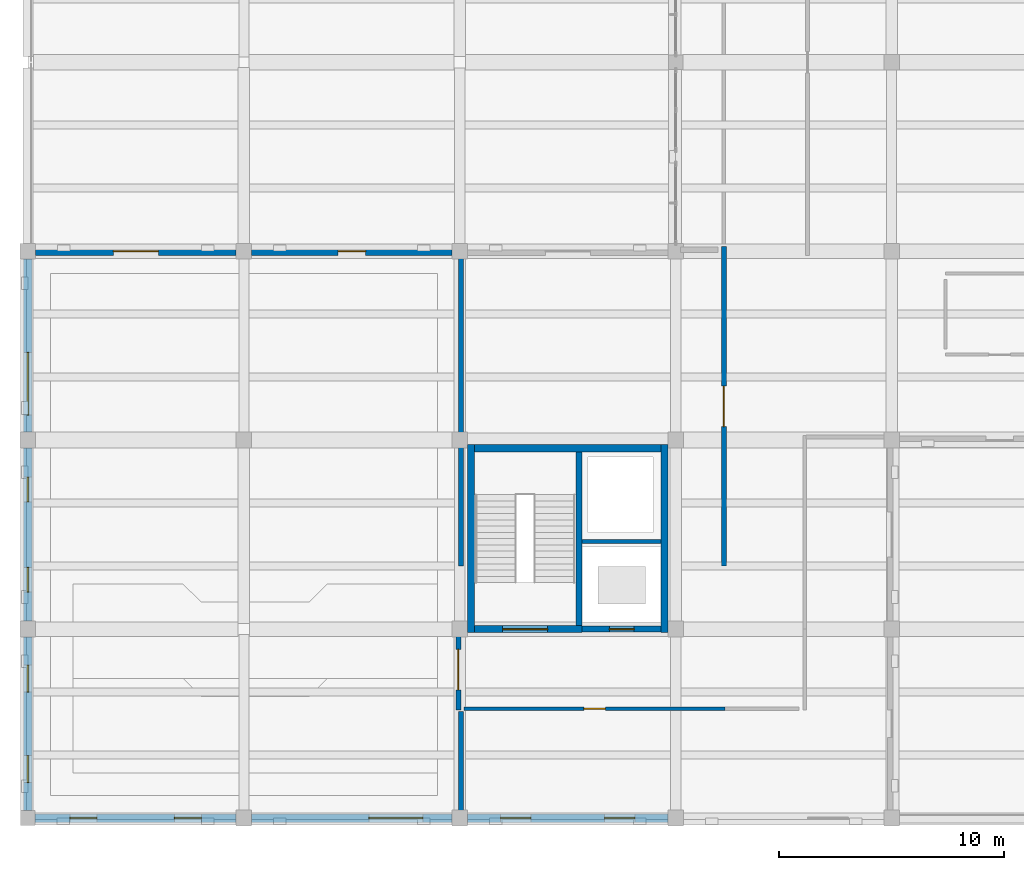
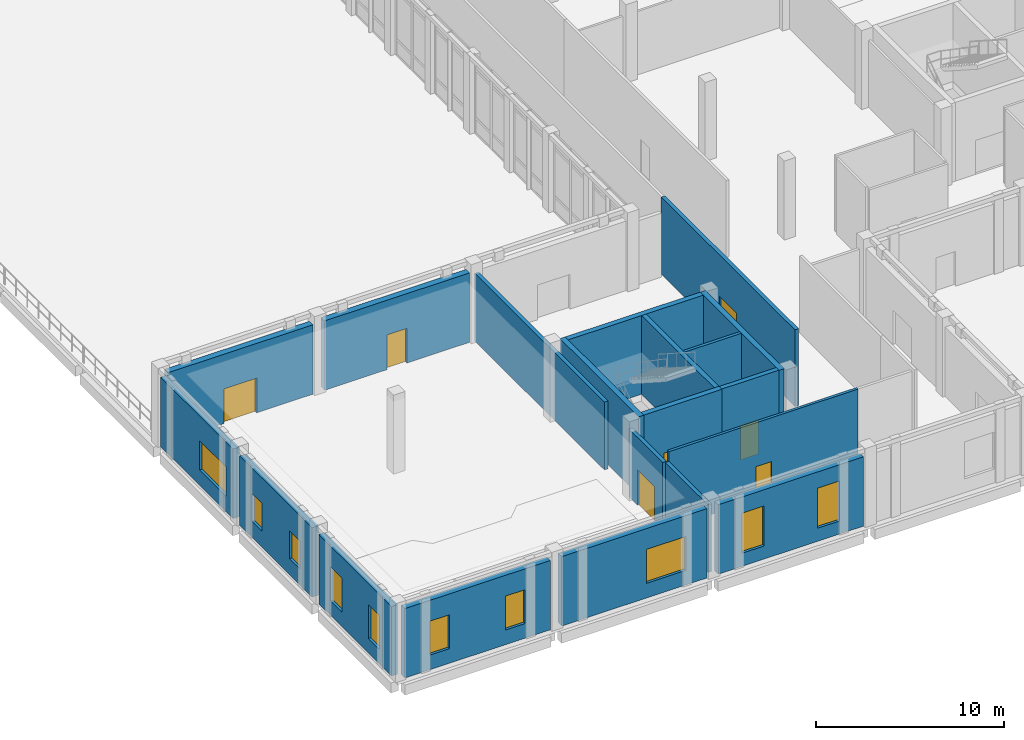
# One storey, part 49 of 71: 20 walls, 10 windows, 7 doors, 17 openings.
"""IFC4 building model written with IfcOpenShell, lengths in metres."""

from ifc_helpers import new_model, si_unit, direction, frame, frame_2d, origin, place, context, subcontext, project, spatial, rectangle, extrude, material, layer, layer_set, type_object, element, fill, save


model = new_model("IFC4")

# Units and contexts
model_context = context("Model", 3, precision=1e-05, world=origin(), true_north=direction((0.0, 1.0)))
body_context = subcontext(model_context, "Body", "Model", "MODEL_VIEW")
ifc_project = project(units=[si_unit("LENGTHUNIT", "METRE"), si_unit("AREAUNIT", "SQUARE_METRE"), si_unit("VOLUMEUNIT", "CUBIC_METRE"), si_unit("PLANEANGLEUNIT", "RADIAN"), si_unit("MASSUNIT", "GRAM", prefix="KILO")], contexts=[model_context])

# Site, building, storey
site_placement = place(None, origin())
site = spatial("IfcSite", under=ifc_project, at=site_placement, CompositionType="ELEMENT")
building_placement = place(site_placement, origin())
building = spatial("IfcBuilding", under=site, at=building_placement, Name="Lornevale Opera House", CompositionType="ELEMENT")
storey_placement = place(building_placement, origin())
storey = spatial("IfcBuildingStorey", under=building, at=storey_placement, Name="L01", CompositionType="ELEMENT", Elevation=0.0)

# Wall, opening, door
ifc_material_1 = material(Name="Concrete 40 MPa (CSA A23.1 C-1)", Category="concrete")
ifc_layer_1 = layer(ifc_material_1, 0.320068359375)
ifc_layer_set_1 = layer_set([ifc_layer_1], Name="Concrete 40 MPa (CSA A23.1 C-1)")
wall_type_1 = type_object("IfcWallType", Name="Core Shear Wall 320", PredefinedType="SHEAR", material=ifc_layer_set_1)
wall_1_placement = place(storey_placement, frame((19.860107421875, 8.39990234375, 0.0), z_axis=(0.0, 0.0, 1.0), x_axis=(1.0, 0.0, 0.0)))
wall_1 = element("IfcWall", 1, at=wall_1_placement, inside=storey, type_object=wall_type_1, Name="Chamber Pavilion Core Core Shear Wall 320 WL-COR-0092", PredefinedType="SHEAR", context=body_context, shape_type="SweptSolid", body=[
    extrude(rectangle(XDim=4.77978515625, YDim=0.320068359375, at=frame_2d((2.389892578125, 0.0))), origin(), (0.0, 0.0, 1.0), 5.10009765625),
])
opening_1_placement = place(wall_1_placement, frame((1.239990234375, 0.0, 0.0)))
opening_1 = element("IfcOpeningElement", 2, at=opening_1_placement, cuts=wall_1, Name="Opening DR-T12", PredefinedType="OPENING", context=body_context, shape_type="SweptSolid", body=[
    extrude(rectangle(XDim=2.0, YDim=2.199951171875, at=frame_2d((1.0, 1.10009765625))), frame((0.0, 0.169921875, 0.0), z_axis=(0.0, -1.0, 0.0), x_axis=(1.0, 0.0, 0.0)), (0.0, 0.0, 1.0), 0.340087890625),
])
ifc_material_2 = material(Name="Painted Hollow Metal Door Steel", Category="steel")
ifc_layer_2 = layer(ifc_material_2, 2.199951171875)
ifc_layer_set_2 = layer_set([ifc_layer_2], Name="Painted Hollow Metal Door Steel")
door_type_1 = type_object("IfcDoorType", Name="Exit Stair Discharge Pair 2000x2200", OperationType="NOTDEFINED", PredefinedType="DOOR", material=ifc_layer_set_2)
door_1_placement = place(opening_1_placement, origin())
door_1 = element("IfcDoor", 3, at=door_1_placement, inside=storey, type_object=door_type_1, Name="C3 Stair Door L01", OperationType="DOUBLE_SWING_LEFT", OverallHeight=2.199951171875, OverallWidth=2.0, PredefinedType="DOOR", context=body_context, shape_type="SweptSolid", body=[
    extrude(rectangle(XDim=2.0, YDim=2.199951171875, at=frame_2d((1.0, 1.10009765625))), frame((0.0, 0.02490234375, 0.0), z_axis=(0.0, -1.0, 0.0), x_axis=(1.0, 0.0, 0.0)), (0.0, 0.0, 1.0), 0.050048828125),
])
fill(opening_1, door_1)

# Walls
wall_2_placement = place(storey_placement, frame((28.139892578125, 16.43994140625, 0.0), z_axis=(0.0, 0.0, 1.0), x_axis=(-1.0, 0.0, 0.0)))
element("IfcWall", 4, at=wall_2_placement, inside=storey, type_object=wall_type_1, Name="Chamber Pavilion Core Core Shear Wall 320 WL-COR-0094", PredefinedType="SHEAR", context=body_context, shape_type="SweptSolid", body=[
    extrude(rectangle(XDim=8.27978515625, YDim=0.320068359375, at=frame_2d((4.139892578125, 0.0))), origin(), (0.0, 0.0, 1.0), 5.10009765625),
])
for number, where, z_axis, x_axis, name in (
    (5, (19.699951171875, 16.60009765625, 0.0), (0.0, 0.0, 1.0), (0.0, -1.0, 0.0), "Chamber Pavilion Core Core Shear Wall 320 WL-COR-0095"),
    (6, (28.300048828125, 8.239990234375, 0.0), (0.0, 0.0, 1.0), (0.0, 1.0, 0.0), "Chamber Pavilion Core Core Shear Wall 320 WL-COR-0096"),
):
    element("IfcWall", number, at=place(storey_placement, frame(where, z_axis=z_axis, x_axis=x_axis)), inside=storey, type_object=wall_type_1, Name=name, PredefinedType="SHEAR", context=body_context, shape_type="SweptSolid", body=[
        extrude(rectangle(XDim=8.360107421875, YDim=0.320068359375, at=frame_2d((4.18017578125, 0.0))), origin(), (0.0, 0.0, 1.0), 5.10009765625),
    ])

# Wall, opening, door
ifc_material_3 = material(Name="Acoustic Mineral-Core Gypsum Partition", Category="gypsum")
ifc_layer_3 = layer(ifc_material_3, 0.1650390625)
ifc_layer_set_3 = layer_set([ifc_layer_3], Name="Acoustic Mineral-Core Gypsum Partition")
wall_type_2 = type_object("IfcWallType", Name="Corridor Rated Partition 165", PredefinedType="PARTITIONING", material=ifc_layer_set_3)
wall_3_placement = place(storey_placement, frame((19.389892578125, 4.860107421875, 0.0), z_axis=(0.0, 0.0, 1.0), x_axis=(1.0, 0.0, 0.0)))
wall_3 = element("IfcWall", 7, at=wall_3_placement, inside=storey, type_object=wall_type_2, Name="L01 Partition WL-INT-0718", PredefinedType="PARTITIONING", context=body_context, shape_type="SweptSolid", body=[
    extrude(rectangle(XDim=11.610107421875, YDim=0.1650390625, at=frame_2d((5.80517578125, 0.0))), origin(), (0.0, 0.0, 1.0), 4.989990234375),
])
opening_2_placement = place(wall_3_placement, frame((5.330078125, 0.0, 0.0)))
opening_2 = element("IfcOpeningElement", 8, at=opening_2_placement, cuts=wall_3, Name="Opening DR-T19", PredefinedType="OPENING", context=body_context, shape_type="SweptSolid", body=[
    extrude(rectangle(XDim=0.949951171875, YDim=2.14990234375, at=frame_2d((0.47509765625, 1.074951171875))), frame((0.0, 0.092529296875, 0.0), z_axis=(0.0, -1.0, 0.0), x_axis=(1.0, 0.0, 0.0)), (0.0, 0.0, 1.0), 0.18505859375),
])
ifc_material_4 = material(Name="White Oak Acoustic Panelling", Category="wood")
ifc_layer_4 = layer(ifc_material_4, 2.14990234375)
ifc_layer_set_4 = layer_set([ifc_layer_4], Name="White Oak Acoustic Panelling")
door_type_2 = type_object("IfcDoorType", Name="Soloist Dressing Door L 950x2150", OperationType="NOTDEFINED", PredefinedType="DOOR", material=ifc_layer_set_4)
door_2_placement = place(opening_2_placement, origin())
door_2 = element("IfcDoor", 9, at=door_2_placement, inside=storey, type_object=door_type_2, Name="Winter-Garden Exhibition Foyer Door", OperationType="SINGLE_SWING_LEFT", OverallHeight=2.14990234375, OverallWidth=0.949951171875, PredefinedType="DOOR", context=body_context, shape_type="SweptSolid", body=[
    extrude(rectangle(XDim=0.949951171875, YDim=2.14990234375, at=frame_2d((0.47509765625, 1.074951171875))), frame((0.0, 0.02490234375, 0.0), z_axis=(0.0, -1.0, 0.0), x_axis=(1.0, 0.0, 0.0)), (0.0, 0.0, 1.0), 0.050048828125),
])
fill(opening_2, door_2)

ifc_layer_5 = layer(ifc_material_1, 0.280029296875)
ifc_layer_set_5 = layer_set([ifc_layer_5], Name="Concrete 40 MPa (CSA A23.1 C-1)")
wall_type_3 = type_object("IfcWallType", Name="Elevator Shaft Wall 280", PredefinedType="SHEAR", material=ifc_layer_set_5)
wall_4_placement = place(storey_placement, frame((24.639892578125, 8.39990234375, 0.0), z_axis=(0.0, 0.0, 1.0), x_axis=(1.0, 0.0, 0.0)))
wall_4 = element("IfcWall", 10, at=wall_4_placement, inside=storey, type_object=wall_type_3, Name="Chamber Pavilion Core Elevator Shaft Wall 280 WL-COR-0093", PredefinedType="SHEAR", context=body_context, shape_type="SweptSolid", body=[
    extrude(rectangle(XDim=3.5, YDim=0.280029296875, at=frame_2d((1.75, 0.0))), origin(), (0.0, 0.0, 1.0), 5.10009765625),
])
opening_3_placement = place(wall_4_placement, frame((1.2099609375, 0.0, 0.0)))
opening_3 = element("IfcOpeningElement", 11, at=opening_3_placement, cuts=wall_4, Name="Opening DR-T25", PredefinedType="OPENING", context=body_context, shape_type="SweptSolid", body=[
    extrude(rectangle(XDim=1.10009765625, YDim=2.199951171875, at=frame_2d((0.550048828125, 1.10009765625))), frame((0.0, 0.14990234375, 0.0), z_axis=(0.0, -1.0, 0.0), x_axis=(1.0, 0.0, 0.0)), (0.0, 0.0, 1.0), 0.300048828125),
])
ifc_layer_6 = layer(ifc_material_2, 2.199951171875)
ifc_layer_set_6 = layer_set([ifc_layer_6], Name="Painted Hollow Metal Door Steel")
door_type_3 = type_object("IfcDoorType", Name="Passenger Lift Landing Door 1100x2200", OperationType="NOTDEFINED", PredefinedType="DOOR", material=ifc_layer_set_6)
door_3_placement = place(opening_3_placement, origin())
door_3 = element("IfcDoor", 12, at=door_3_placement, inside=storey, type_object=door_type_3, Name="L-P3 Landing Door L01", OperationType="SLIDING_TO_LEFT", OverallHeight=2.199951171875, OverallWidth=1.10009765625, PredefinedType="DOOR", context=body_context, shape_type="SweptSolid", body=[
    extrude(rectangle(XDim=1.10009765625, YDim=2.199951171875, at=frame_2d((0.550048828125, 1.10009765625))), frame((0.0, 0.02490234375, 0.0), z_axis=(0.0, -1.0, 0.0), x_axis=(1.0, 0.0, 0.0)), (0.0, 0.0, 1.0), 0.050048828125),
])
fill(opening_3, door_3)

# Wall
wall_5_placement = place(storey_placement, frame((24.5, 8.56005859375, 0.0), z_axis=(0.0, 0.0, 1.0), x_axis=(0.0, 1.0, 0.0)))
element("IfcWall", 13, at=wall_5_placement, inside=storey, type_object=wall_type_3, Name="Chamber Pavilion Core Elevator Shaft Wall 280 WL-COR-0097", PredefinedType="SHEAR", context=body_context, shape_type="SweptSolid", body=[
    extrude(rectangle(XDim=7.719970703125, YDim=0.280029296875, at=frame_2d((3.85986328125, 0.0))), origin(), (0.0, 0.0, 1.0), 5.10009765625),
])

# Wall, opening, door
ifc_layer_7 = layer(ifc_material_3, 0.22998046875)
ifc_layer_set_7 = layer_set([ifc_layer_7], Name="Acoustic Mineral-Core Gypsum Partition")
wall_type_4 = type_object("IfcWallType", Name="Rehearsal Studio Acoustic Wall 230", PredefinedType="SOLIDWALL", material=ifc_layer_set_7)
wall_6_placement = place(storey_placement, frame((19.139892578125, 4.800048828125, 0.0), z_axis=(0.0, 0.0, 1.0), x_axis=(0.0, 1.0, 0.0)))
wall_6 = element("IfcWall", 14, at=wall_6_placement, inside=storey, type_object=wall_type_4, Name="L01 Partition WL-INT-0671", PredefinedType="SOLIDWALL", context=body_context, shape_type="SweptSolid", body=[
    extrude(rectangle(XDim=3.599853515625, YDim=0.22998046875, at=frame_2d((1.7998046875, 0.0))), origin(), (0.0, 0.0, 1.0), 4.39990234375),
])
opening_4_placement = place(wall_6_placement, frame((0.89990234375, 0.0, 0.0)))
opening_4 = element("IfcOpeningElement", 15, at=opening_4_placement, cuts=wall_6, Name="Opening DR-T15", PredefinedType="OPENING", context=body_context, shape_type="SweptSolid", body=[
    extrude(rectangle(XDim=1.800048828125, YDim=2.300048828125, at=frame_2d((0.89990234375, 1.14990234375))), frame((0.0, 0.125, 0.0), z_axis=(0.0, -1.0, 0.0), x_axis=(1.0, 0.0, 0.0)), (0.0, 0.0, 1.0), 0.25),
])
ifc_layer_8 = layer(ifc_material_4, 2.300048828125)
ifc_layer_set_8 = layer_set([ifc_layer_8], Name="White Oak Acoustic Panelling")
door_type_4 = type_object("IfcDoorType", Name="Chamber Hall Acoustic Pair 1800x2300", OperationType="NOTDEFINED", PredefinedType="DOOR", material=ifc_layer_set_8)
door_4_placement = place(opening_4_placement, origin())
door_4 = element("IfcDoor", 16, at=door_4_placement, inside=storey, type_object=door_type_4, Name="Chamber Opera Stage Door", OperationType="DOUBLE_SWING_LEFT", OverallHeight=2.300048828125, OverallWidth=1.800048828125, PredefinedType="DOOR", context=body_context, shape_type="SweptSolid", body=[
    extrude(rectangle(XDim=1.800048828125, YDim=2.300048828125, at=frame_2d((0.89990234375, 1.14990234375))), frame((0.0, 0.02490234375, 0.0), z_axis=(0.0, -1.0, 0.0), x_axis=(1.0, 0.0, 0.0)), (0.0, 0.0, 1.0), 0.050048828125),
])
fill(opening_4, door_4)

wall_7_placement = place(storey_placement, frame((30.93994140625, 11.199951171875, 0.0), z_axis=(0.0, 0.0, 1.0), x_axis=(0.0, 1.0, 0.0)))
wall_7 = element("IfcWall", 17, at=wall_7_placement, inside=storey, type_object=wall_type_4, Name="L01 Partition WL-INT-0672", PredefinedType="SOLIDWALL", context=body_context, shape_type="SweptSolid", body=[
    extrude(rectangle(XDim=14.199951171875, YDim=0.22998046875, at=frame_2d((7.10009765625, 0.0))), origin(), (0.0, 0.0, 1.0), 4.989990234375),
])
opening_5_placement = place(wall_7_placement, frame((6.199951171875, 0.0, 0.0)))
opening_5 = element("IfcOpeningElement", 18, at=opening_5_placement, cuts=wall_7, Name="Opening DR-T15", PredefinedType="OPENING", context=body_context, shape_type="SweptSolid", body=[
    extrude(rectangle(XDim=1.800048828125, YDim=2.300048828125, at=frame_2d((0.89990234375, 1.14990234375))), frame((0.0, 0.125, 0.0), z_axis=(0.0, -1.0, 0.0), x_axis=(1.0, 0.0, 0.0)), (0.0, 0.0, 1.0), 0.25),
])
door_5_placement = place(opening_5_placement, origin())
door_5 = element("IfcDoor", 19, at=door_5_placement, inside=storey, type_object=door_type_4, Name="Chamber Hall Foyer Salon Door", OperationType="DOUBLE_SWING_LEFT", OverallHeight=2.300048828125, OverallWidth=1.800048828125, PredefinedType="DOOR", context=body_context, shape_type="SweptSolid", body=[
    extrude(rectangle(XDim=1.800048828125, YDim=2.300048828125, at=frame_2d((0.89990234375, 1.14990234375))), frame((0.0, 0.02490234375, 0.0), z_axis=(0.0, -1.0, 0.0), x_axis=(1.0, 0.0, 0.0)), (0.0, 0.0, 1.0), 0.050048828125),
])
fill(opening_5, door_5)

# Walls
wall_8_placement = place(storey_placement, frame((19.260009765625, 11.199951171875, 0.0), z_axis=(0.0, 0.0, 1.0), x_axis=(0.0, 1.0, 0.0)))
element("IfcWall", 20, at=wall_8_placement, inside=storey, type_object=wall_type_4, Name="L01 Partition WL-INT-0736", PredefinedType="SOLIDWALL", context=body_context, shape_type="SweptSolid", body=[
    extrude(rectangle(XDim=13.780029296875, YDim=0.22998046875, at=frame_2d((6.89013671875, 0.0))), origin(), (0.0, 0.0, 1.0), 4.39990234375),
])
wall_9_placement = place(storey_placement, frame((19.260009765625, 0.219970703125, 0.0), z_axis=(0.0, 0.0, 1.0), x_axis=(0.0, 1.0, 0.0)))
element("IfcWall", 21, at=wall_9_placement, inside=storey, type_object=wall_type_4, Name="L01 Partition WL-INT-0737", PredefinedType="SOLIDWALL", context=body_context, shape_type="SweptSolid", body=[
    extrude(rectangle(XDim=4.52001953125, YDim=0.22998046875, at=frame_2d((2.260009765625, 0.0))), origin(), (0.0, 0.0, 1.0), 4.39990234375),
])
ifc_material_5 = material(Name="Moisture-Resistant Ceramic & Gypsum Partition", Category="gypsum")
ifc_layer_9 = layer(ifc_material_5, 0.179931640625)
ifc_layer_set_9 = layer_set([ifc_layer_9], Name="Moisture-Resistant Ceramic & Gypsum Partition")
wall_type_5 = type_object("IfcWallType", Name="Riser Shaft Wall 180", PredefinedType="SOLIDWALL", material=ifc_layer_set_9)
wall_10_placement = place(storey_placement, frame((24.639892578125, 12.300048828125, 0.0), z_axis=(0.0, 0.0, 1.0), x_axis=(1.0, 0.0, 0.0)))
element("IfcWall", 22, at=wall_10_placement, inside=storey, type_object=wall_type_5, Name="Chamber Pavilion Core Riser Shaft Wall 180 WL-COR-0098", PredefinedType="SOLIDWALL", context=body_context, shape_type="SweptSolid", body=[
    extrude(rectangle(XDim=3.5, YDim=0.179931640625, at=frame_2d((1.75, 0.0))), origin(), (0.0, 0.0, 1.0), 5.10009765625),
])

# Wall, openings, windows
ifc_material_6 = material(Name="Credit Valley Sandstone Ashlar Masonry (25 MPa)", Category="masonry")
ifc_layer_10 = layer(ifc_material_6, 0.3798828125)
ifc_layer_set_10 = layer_set([ifc_layer_10], Name="Credit Valley Sandstone Ashlar Masonry (25 MPa)")
wall_type_6 = type_object("IfcWallType", Name="Sandstone Plinth Bearing Wall 380", PredefinedType="SOLIDWALL", material=ifc_layer_set_10)
wall_11_placement = place(storey_placement, frame((9.25, 0.0, 0.0), z_axis=(0.0, 0.0, 1.0), x_axis=(-1.0, 0.0, 0.0)))
wall_11 = element("IfcWall", 23, at=wall_11_placement, inside=storey, type_object=wall_type_6, Name="Sandstone Plinth Bearing Wall 380 WL-EXT-0135", PredefinedType="SOLIDWALL", context=body_context, shape_type="SweptSolid", body=[
    extrude(rectangle(XDim=8.925048828125, YDim=0.3798828125, at=frame_2d((4.46240234375, 0.0))), origin(), (0.0, 0.0, 1.0), 4.5),
])
opening_6_placement = place(wall_11_placement, frame((1.5419921875, 0.0, 0.949951171875)))
opening_6 = element("IfcOpeningElement", 24, at=opening_6_placement, cuts=wall_11, Name="Opening WN-T03", PredefinedType="OPENING", context=body_context, shape_type="SweptSolid", body=[
    extrude(rectangle(XDim=1.199951171875, YDim=2.199951171875, at=frame_2d((0.60009765625, 1.10009765625))), frame((0.0, 0.199951171875, 0.0), z_axis=(0.0, -1.0, 0.0), x_axis=(1.0, 0.0, 0.0)), (0.0, 0.0, 1.0), 0.39990234375),
])
opening_7_placement = place(wall_11_placement, frame((6.18310546875, 0.0, 0.949951171875)))
opening_7 = element("IfcOpeningElement", 25, at=opening_7_placement, cuts=wall_11, Name="Opening WN-T03", PredefinedType="OPENING", context=body_context, shape_type="SweptSolid", body=[
    extrude(rectangle(XDim=1.199951171875, YDim=2.199951171875, at=frame_2d((0.60009765625, 1.10009765625))), frame((0.0, 0.199951171875, 0.0), z_axis=(0.0, -1.0, 0.0), x_axis=(1.0, 0.0, 0.0)), (0.0, 0.0, 1.0), 0.39990234375),
])
ifc_material_7 = material(Name="Triple Low-E Insulated Glazing", Category="glass")
ifc_layer_11 = layer(ifc_material_7, 0.06005859375)
ifc_layer_set_11 = layer_set([ifc_layer_11], Name="Triple Low-E Insulated Glazing")
window_type_1 = type_object("IfcWindowType", Name="Punched Deep-Reveal Window 1200x2200", PartitioningType="NOTDEFINED", PredefinedType="WINDOW", material=ifc_layer_set_11)
window_1_placement = place(opening_6_placement, origin())
window_1 = element("IfcWindow", 26, at=window_1_placement, inside=storey, type_object=window_type_1, Name="Punched Deep-Reveal Window 1200x2200 WN-0002", OverallHeight=2.199951171875, OverallWidth=1.199951171875, PartitioningType="SINGLE_PANEL", PredefinedType="WINDOW", context=body_context, shape_type="SweptSolid", body=[
    extrude(rectangle(XDim=1.199951171875, YDim=2.199951171875, at=frame_2d((0.60009765625, 1.10009765625))), frame((0.0, 0.030029296875, 0.0), z_axis=(0.0, -1.0, 0.0), x_axis=(1.0, 0.0, 0.0)), (0.0, 0.0, 1.0), 0.06005859375),
])
fill(opening_6, window_1)
window_2_placement = place(opening_7_placement, origin())
window_2 = element("IfcWindow", 27, at=window_2_placement, inside=storey, type_object=window_type_1, Name="Punched Deep-Reveal Window 1200x2200 WN-0003", OverallHeight=2.199951171875, OverallWidth=1.199951171875, PartitioningType="SINGLE_PANEL", PredefinedType="WINDOW", context=body_context, shape_type="SweptSolid", body=[
    extrude(rectangle(XDim=1.199951171875, YDim=2.199951171875, at=frame_2d((0.60009765625, 1.10009765625))), frame((0.0, 0.030029296875, 0.0), z_axis=(0.0, -1.0, 0.0), x_axis=(1.0, 0.0, 0.0)), (0.0, 0.0, 1.0), 0.06005859375),
])
fill(opening_7, window_2)

wall_12_placement = place(storey_placement, frame((0.0, 0.324951171875, 0.0), z_axis=(0.0, 0.0, 1.0), x_axis=(0.0, 1.0, 0.0)))
wall_12 = element("IfcWall", 28, at=wall_12_placement, inside=storey, type_object=wall_type_6, Name="Sandstone Plinth Bearing Wall 380 WL-EXT-0136", PredefinedType="SOLIDWALL", context=body_context, shape_type="SweptSolid", body=[
    extrude(rectangle(XDim=7.72509765625, YDim=0.3798828125, at=frame_2d((3.862548828125, 0.0))), origin(), (0.0, 0.0, 1.0), 4.5),
])
opening_8_placement = place(wall_12_placement, frame((1.25390625, 0.0, 0.949951171875)))
opening_8 = element("IfcOpeningElement", 29, at=opening_8_placement, cuts=wall_12, Name="Opening WN-T03", PredefinedType="OPENING", context=body_context, shape_type="SweptSolid", body=[
    extrude(rectangle(XDim=1.199951171875, YDim=2.199951171875, at=frame_2d((0.60009765625, 1.10009765625))), frame((0.0, 0.199951171875, 0.0), z_axis=(0.0, -1.0, 0.0), x_axis=(1.0, 0.0, 0.0)), (0.0, 0.0, 1.0), 0.39990234375),
])
opening_9_placement = place(wall_12_placement, frame((5.27099609375, 0.0, 0.949951171875)))
opening_9 = element("IfcOpeningElement", 30, at=opening_9_placement, cuts=wall_12, Name="Opening WN-T03", PredefinedType="OPENING", context=body_context, shape_type="SweptSolid", body=[
    extrude(rectangle(XDim=1.199951171875, YDim=2.199951171875, at=frame_2d((0.60009765625, 1.10009765625))), frame((0.0, 0.199951171875, 0.0), z_axis=(0.0, -1.0, 0.0), x_axis=(1.0, 0.0, 0.0)), (0.0, 0.0, 1.0), 0.39990234375),
])
window_3_placement = place(opening_8_placement, origin())
window_3 = element("IfcWindow", 31, at=window_3_placement, inside=storey, type_object=window_type_1, Name="Punched Deep-Reveal Window 1200x2200 WN-0004", OverallHeight=2.199951171875, OverallWidth=1.199951171875, PartitioningType="SINGLE_PANEL", PredefinedType="WINDOW", context=body_context, shape_type="SweptSolid", body=[
    extrude(rectangle(XDim=1.199951171875, YDim=2.199951171875, at=frame_2d((0.60009765625, 1.10009765625))), frame((0.0, 0.030029296875, 0.0), z_axis=(0.0, -1.0, 0.0), x_axis=(1.0, 0.0, 0.0)), (0.0, 0.0, 1.0), 0.06005859375),
])
fill(opening_8, window_3)
window_4_placement = place(opening_9_placement, origin())
window_4 = element("IfcWindow", 32, at=window_4_placement, inside=storey, type_object=window_type_1, Name="Punched Deep-Reveal Window 1200x2200 WN-0005", OverallHeight=2.199951171875, OverallWidth=1.199951171875, PartitioningType="SINGLE_PANEL", PredefinedType="WINDOW", context=body_context, shape_type="SweptSolid", body=[
    extrude(rectangle(XDim=1.199951171875, YDim=2.199951171875, at=frame_2d((0.60009765625, 1.10009765625))), frame((0.0, 0.030029296875, 0.0), z_axis=(0.0, -1.0, 0.0), x_axis=(1.0, 0.0, 0.0)), (0.0, 0.0, 1.0), 0.06005859375),
])
fill(opening_9, window_4)

wall_13_placement = place(storey_placement, frame((0.0, 8.75, 0.0), z_axis=(0.0, 0.0, 1.0), x_axis=(0.0, 1.0, 0.0)))
wall_13 = element("IfcWall", 33, at=wall_13_placement, inside=storey, type_object=wall_type_6, Name="Sandstone Plinth Bearing Wall 380 WL-EXT-0137", PredefinedType="SOLIDWALL", context=body_context, shape_type="SweptSolid", body=[
    extrude(rectangle(XDim=7.699951171875, YDim=0.3798828125, at=frame_2d((3.85009765625, 0.0))), origin(), (0.0, 0.0, 1.0), 4.5),
])
opening_10_placement = place(wall_13_placement, frame((1.298095703125, 0.0, 1.050048828125)))
opening_10 = element("IfcOpeningElement", 34, at=opening_10_placement, cuts=wall_13, Name="Opening WN-T06", PredefinedType="OPENING", context=body_context, shape_type="SweptSolid", body=[
    extrude(rectangle(XDim=1.10009765625, YDim=1.800048828125, at=frame_2d((0.550048828125, 0.89990234375))), frame((0.0, 0.199951171875, 0.0), z_axis=(0.0, -1.0, 0.0), x_axis=(1.0, 0.0, 0.0)), (0.0, 0.0, 1.0), 0.39990234375),
])
opening_11_placement = place(wall_13_placement, frame((5.302001953125, 0.0, 1.050048828125)))
opening_11 = element("IfcOpeningElement", 35, at=opening_11_placement, cuts=wall_13, Name="Opening WN-T06", PredefinedType="OPENING", context=body_context, shape_type="SweptSolid", body=[
    extrude(rectangle(XDim=1.10009765625, YDim=1.800048828125, at=frame_2d((0.550048828125, 0.89990234375))), frame((0.0, 0.199951171875, 0.0), z_axis=(0.0, -1.0, 0.0), x_axis=(1.0, 0.0, 0.0)), (0.0, 0.0, 1.0), 0.39990234375),
])
ifc_layer_12 = layer(ifc_material_7, 0.06005859375)
ifc_layer_set_12 = layer_set([ifc_layer_12], Name="Triple Low-E Insulated Glazing")
window_type_2 = type_object("IfcWindowType", Name="Dressing Suite Operable Window 1100x1800", PartitioningType="NOTDEFINED", PredefinedType="WINDOW", material=ifc_layer_set_12)
window_5_placement = place(opening_10_placement, origin())
window_5 = element("IfcWindow", 36, at=window_5_placement, inside=storey, type_object=window_type_2, Name="Dressing Suite Operable Window 1100x1800 WN-0006", OverallHeight=1.800048828125, OverallWidth=1.10009765625, PartitioningType="SINGLE_PANEL", PredefinedType="WINDOW", context=body_context, shape_type="SweptSolid", body=[
    extrude(rectangle(XDim=1.10009765625, YDim=1.800048828125, at=frame_2d((0.550048828125, 0.89990234375))), frame((0.0, 0.030029296875, 0.0), z_axis=(0.0, -1.0, 0.0), x_axis=(1.0, 0.0, 0.0)), (0.0, 0.0, 1.0), 0.06005859375),
])
fill(opening_10, window_5)
window_6_placement = place(opening_11_placement, origin())
window_6 = element("IfcWindow", 37, at=window_6_placement, inside=storey, type_object=window_type_2, Name="Dressing Suite Operable Window 1100x1800 WN-0007", OverallHeight=1.800048828125, OverallWidth=1.10009765625, PartitioningType="SINGLE_PANEL", PredefinedType="WINDOW", context=body_context, shape_type="SweptSolid", body=[
    extrude(rectangle(XDim=1.10009765625, YDim=1.800048828125, at=frame_2d((0.550048828125, 0.89990234375))), frame((0.0, 0.030029296875, 0.0), z_axis=(0.0, -1.0, 0.0), x_axis=(1.0, 0.0, 0.0)), (0.0, 0.0, 1.0), 0.06005859375),
])
fill(opening_11, window_6)

# Wall, opening, door
wall_14_placement = place(storey_placement, frame((0.35009765625, 25.199951171875, 0.0), z_axis=(0.0, 0.0, 1.0), x_axis=(1.0, 0.0, 0.0)))
wall_14 = element("IfcWall", 38, at=wall_14_placement, inside=storey, type_object=wall_type_6, Name="Sandstone Plinth Bearing Wall 380 WL-EXT-0138", PredefinedType="SOLIDWALL", context=body_context, shape_type="SweptSolid", body=[
    extrude(rectangle(XDim=8.89990234375, YDim=0.3798828125, at=frame_2d((4.449951171875, 0.0))), origin(), (0.0, 0.0, 1.0), 4.5),
])
opening_12_placement = place(wall_14_placement, frame((3.449951171875, 0.0, 0.0)))
opening_12 = element("IfcOpeningElement", 39, at=opening_12_placement, cuts=wall_14, Name="Opening DR-T06", PredefinedType="OPENING", context=body_context, shape_type="SweptSolid", body=[
    extrude(rectangle(XDim=2.0, YDim=2.25, at=frame_2d((1.0, 1.125))), frame((0.0, 0.199951171875, 0.0), z_axis=(0.0, -1.0, 0.0), x_axis=(1.0, 0.0, 0.0)), (0.0, 0.0, 1.0), 0.39990234375),
])
ifc_layer_13 = layer(ifc_material_2, 0.050048828125)
ifc_layer_set_13 = layer_set([ifc_layer_13], Name="Painted Hollow Metal Door Steel")
door_type_5 = type_object("IfcDoorType", Name="Exterior Paired Exit Door 2000x2250", OperationType="NOTDEFINED", PredefinedType="DOOR", material=ifc_layer_set_13)
door_6_placement = place(opening_12_placement, origin())
door_6 = element("IfcDoor", 40, at=door_6_placement, inside=storey, type_object=door_type_5, Name="Exterior Paired Exit Door 2000x2250 DR-EXT-006", OperationType="DOUBLE_DOOR_SINGLE_SWING", OverallHeight=2.25, OverallWidth=2.0, PredefinedType="DOOR", context=body_context, shape_type="SweptSolid", body=[
    extrude(rectangle(XDim=2.0, YDim=2.25, at=frame_2d((1.0, 1.125))), frame((0.0, 0.02490234375, 0.0), z_axis=(0.0, -1.0, 0.0), x_axis=(1.0, 0.0, 0.0)), (0.0, 0.0, 1.0), 0.050048828125),
])
fill(opening_12, door_6)

# Wall, opening, window
wall_15_placement = place(storey_placement, frame((0.0, 17.14990234375, 0.0), z_axis=(0.0, 0.0, 1.0), x_axis=(0.0, 1.0, 0.0)))
wall_15 = element("IfcWall", 41, at=wall_15_placement, inside=storey, type_object=wall_type_6, Name="Sandstone Plinth Bearing Wall 380 WL-EXT-0139", PredefinedType="SOLIDWALL", context=body_context, shape_type="SweptSolid", body=[
    extrude(rectangle(XDim=7.7001953125, YDim=0.3798828125, at=frame_2d((3.85009765625, 0.0))), origin(), (0.0, 0.0, 1.0), 4.5),
])
opening_13_placement = place(wall_15_placement, frame((0.756103515625, 0.0, 1.0)))
opening_13 = element("IfcOpeningElement", 42, at=opening_13_placement, cuts=wall_15, Name="Opening WN-T09", PredefinedType="OPENING", context=body_context, shape_type="SweptSolid", body=[
    extrude(rectangle(XDim=2.800048828125, YDim=1.89990234375, at=frame_2d((1.39990234375, 0.949951171875))), frame((0.0, 0.199951171875, 0.0), z_axis=(0.0, -1.0, 0.0), x_axis=(1.0, 0.0, 0.0)), (0.0, 0.0, 1.0), 0.39990234375),
])
ifc_layer_14 = layer(ifc_material_7, 0.06005859375)
ifc_layer_set_14 = layer_set([ifc_layer_14], Name="Triple Low-E Insulated Glazing")
window_type_3 = type_object("IfcWindowType", Name="Administration Ribbon Window 2800x1900", PartitioningType="NOTDEFINED", PredefinedType="WINDOW", material=ifc_layer_set_14)
window_7_placement = place(opening_13_placement, origin())
window_7 = element("IfcWindow", 43, at=window_7_placement, inside=storey, type_object=window_type_3, Name="Administration Ribbon Window 2800x1900 WN-0008", OverallHeight=1.89990234375, OverallWidth=2.800048828125, PartitioningType="SINGLE_PANEL", PredefinedType="WINDOW", context=body_context, shape_type="SweptSolid", body=[
    extrude(rectangle(XDim=2.800048828125, YDim=1.89990234375, at=frame_2d((1.39990234375, 0.949951171875))), frame((0.0, 0.030029296875, 0.0), z_axis=(0.0, -1.0, 0.0), x_axis=(1.0, 0.0, 0.0)), (0.0, 0.0, 1.0), 0.06005859375),
])
fill(opening_13, window_7)

wall_16_placement = place(storey_placement, frame((18.85009765625, 0.0, 0.0), z_axis=(0.0, 0.0, 1.0), x_axis=(-1.0, 0.0, 0.0)))
wall_16 = element("IfcWall", 44, at=wall_16_placement, inside=storey, type_object=wall_type_6, Name="Sandstone Plinth Bearing Wall 380 WL-EXT-0146", PredefinedType="SOLIDWALL", context=body_context, shape_type="SweptSolid", body=[
    extrude(rectangle(XDim=8.900146484375, YDim=0.3798828125, at=frame_2d((4.4501953125, 0.0))), origin(), (0.0, 0.0, 1.0), 4.5),
])
opening_14_placement = place(wall_16_placement, frame((1.2919921875, 0.0, 0.949951171875)))
opening_14 = element("IfcOpeningElement", 45, at=opening_14_placement, cuts=wall_16, Name="Opening WN-T08", PredefinedType="OPENING", context=body_context, shape_type="SweptSolid", body=[
    extrude(rectangle(XDim=2.39990234375, YDim=2.199951171875, at=frame_2d((1.199951171875, 1.10009765625))), frame((0.0, 0.199951171875, 0.0), z_axis=(0.0, -1.0, 0.0), x_axis=(1.0, 0.0, 0.0)), (0.0, 0.0, 1.0), 0.39990234375),
])
ifc_layer_15 = layer(ifc_material_7, 0.06005859375)
ifc_layer_set_15 = layer_set([ifc_layer_15], Name="Triple Low-E Insulated Glazing")
window_type_4 = type_object("IfcWindowType", Name="Conservatory Window 2400x2200", PartitioningType="NOTDEFINED", PredefinedType="WINDOW", material=ifc_layer_set_15)
window_8_placement = place(opening_14_placement, origin())
window_8 = element("IfcWindow", 46, at=window_8_placement, inside=storey, type_object=window_type_4, Name="Conservatory Window 2400x2200 WN-0016", OverallHeight=2.199951171875, OverallWidth=2.39990234375, PartitioningType="SINGLE_PANEL", PredefinedType="WINDOW", context=body_context, shape_type="SweptSolid", body=[
    extrude(rectangle(XDim=2.39990234375, YDim=2.199951171875, at=frame_2d((1.199951171875, 1.10009765625))), frame((0.0, 0.030029296875, 0.0), z_axis=(0.0, -1.0, 0.0), x_axis=(1.0, 0.0, 0.0)), (0.0, 0.0, 1.0), 0.06005859375),
])
fill(opening_14, window_8)

# Wall, opening, door
wall_17_placement = place(storey_placement, frame((9.949951171875, 25.199951171875, 0.0), z_axis=(0.0, 0.0, 1.0), x_axis=(1.0, 0.0, 0.0)))
wall_17 = element("IfcWall", 47, at=wall_17_placement, inside=storey, type_object=wall_type_6, Name="Sandstone Plinth Bearing Wall 380 WL-EXT-0147", PredefinedType="SOLIDWALL", context=body_context, shape_type="SweptSolid", body=[
    extrude(rectangle(XDim=8.900146484375, YDim=0.3798828125, at=frame_2d((4.4501953125, 0.0))), origin(), (0.0, 0.0, 1.0), 4.5),
])
opening_15_placement = place(wall_17_placement, frame((3.840087890625, 0.0, 0.0)))
opening_15 = element("IfcOpeningElement", 48, at=opening_15_placement, cuts=wall_17, Name="Opening DR-T05", PredefinedType="OPENING", context=body_context, shape_type="SweptSolid", body=[
    extrude(rectangle(XDim=1.219970703125, YDim=2.25, at=frame_2d((0.60986328125, 1.125))), frame((0.0, 0.199951171875, 0.0), z_axis=(0.0, -1.0, 0.0), x_axis=(1.0, 0.0, 0.0)), (0.0, 0.0, 1.0), 0.39990234375),
])
ifc_layer_16 = layer(ifc_material_2, 0.050048828125)
ifc_layer_set_16 = layer_set([ifc_layer_16], Name="Painted Hollow Metal Door Steel")
door_type_6 = type_object("IfcDoorType", Name="Exterior Final Exit Door 1220x2250", OperationType="NOTDEFINED", PredefinedType="DOOR", material=ifc_layer_set_16)
door_7_placement = place(opening_15_placement, origin())
door_7 = element("IfcDoor", 49, at=door_7_placement, inside=storey, type_object=door_type_6, Name="Exterior Final Exit Door 1220x2250 DR-EXT-008", OperationType="SINGLE_SWING_RIGHT", OverallHeight=2.25, OverallWidth=1.219970703125, PredefinedType="DOOR", context=body_context, shape_type="SweptSolid", body=[
    extrude(rectangle(XDim=1.219970703125, YDim=2.25, at=frame_2d((0.60986328125, 1.125))), frame((0.0, 0.02490234375, 0.0), z_axis=(0.0, -1.0, 0.0), x_axis=(1.0, 0.0, 0.0)), (0.0, 0.0, 1.0), 0.050048828125),
])
fill(opening_15, door_7)

# Wall, openings, windows
wall_18_placement = place(storey_placement, frame((28.449951171875, 0.0, 0.0), z_axis=(0.0, 0.0, 1.0), x_axis=(-1.0, 0.0, 0.0)))
wall_18 = element("IfcWall", 50, at=wall_18_placement, inside=storey, type_object=wall_type_6, Name="Sandstone Plinth Bearing Wall 380 WL-EXT-0150", PredefinedType="SOLIDWALL", context=body_context, shape_type="SweptSolid", body=[
    extrude(rectangle(XDim=8.89990234375, YDim=0.3798828125, at=frame_2d((4.449951171875, 0.0))), origin(), (0.0, 0.0, 1.0), 4.5),
])
opening_16_placement = place(wall_18_placement, frame((1.4609375, 0.0, 0.85009765625)))
opening_16 = element("IfcOpeningElement", 51, at=opening_16_placement, cuts=wall_18, Name="Opening WN-T14", PredefinedType="OPENING", context=body_context, shape_type="SweptSolid", body=[
    extrude(rectangle(XDim=1.35009765625, YDim=2.60009765625, at=frame_2d((0.675048828125, 1.300048828125))), frame((0.0, 0.199951171875, 0.0), z_axis=(0.0, -1.0, 0.0), x_axis=(1.0, 0.0, 0.0)), (0.0, 0.0, 1.0), 0.39990234375),
])
opening_17_placement = place(wall_18_placement, frame((6.089111328125, 0.0, 0.85009765625)))
opening_17 = element("IfcOpeningElement", 52, at=opening_17_placement, cuts=wall_18, Name="Opening WN-T14", PredefinedType="OPENING", context=body_context, shape_type="SweptSolid", body=[
    extrude(rectangle(XDim=1.35009765625, YDim=2.60009765625, at=frame_2d((0.675048828125, 1.300048828125))), frame((0.0, 0.199951171875, 0.0), z_axis=(0.0, -1.0, 0.0), x_axis=(1.0, 0.0, 0.0)), (0.0, 0.0, 1.0), 0.39990234375),
])
ifc_layer_17 = layer(ifc_material_7, 0.06005859375)
ifc_layer_set_17 = layer_set([ifc_layer_17], Name="Triple Low-E Insulated Glazing")
window_type_5 = type_object("IfcWindowType", Name="Chamber Gallery Window 1350x2600", PartitioningType="NOTDEFINED", PredefinedType="WINDOW", material=ifc_layer_set_17)
window_9_placement = place(opening_16_placement, origin())
window_9 = element("IfcWindow", 53, at=window_9_placement, inside=storey, type_object=window_type_5, Name="Chamber Gallery Window 1350x2600 WN-0019", OverallHeight=2.60009765625, OverallWidth=1.35009765625, PartitioningType="SINGLE_PANEL", PredefinedType="WINDOW", context=body_context, shape_type="SweptSolid", body=[
    extrude(rectangle(XDim=1.35009765625, YDim=2.60009765625, at=frame_2d((0.675048828125, 1.300048828125))), frame((0.0, 0.030029296875, 0.0), z_axis=(0.0, -1.0, 0.0), x_axis=(1.0, 0.0, 0.0)), (0.0, 0.0, 1.0), 0.06005859375),
])
fill(opening_16, window_9)
window_10_placement = place(opening_17_placement, origin())
window_10 = element("IfcWindow", 54, at=window_10_placement, inside=storey, type_object=window_type_5, Name="Chamber Gallery Window 1350x2600 WN-0020", OverallHeight=2.60009765625, OverallWidth=1.35009765625, PartitioningType="SINGLE_PANEL", PredefinedType="WINDOW", context=body_context, shape_type="SweptSolid", body=[
    extrude(rectangle(XDim=1.35009765625, YDim=2.60009765625, at=frame_2d((0.675048828125, 1.300048828125))), frame((0.0, 0.030029296875, 0.0), z_axis=(0.0, -1.0, 0.0), x_axis=(1.0, 0.0, 0.0)), (0.0, 0.0, 1.0), 0.06005859375),
])
fill(opening_17, window_10)

save(model, "model.ifc")
